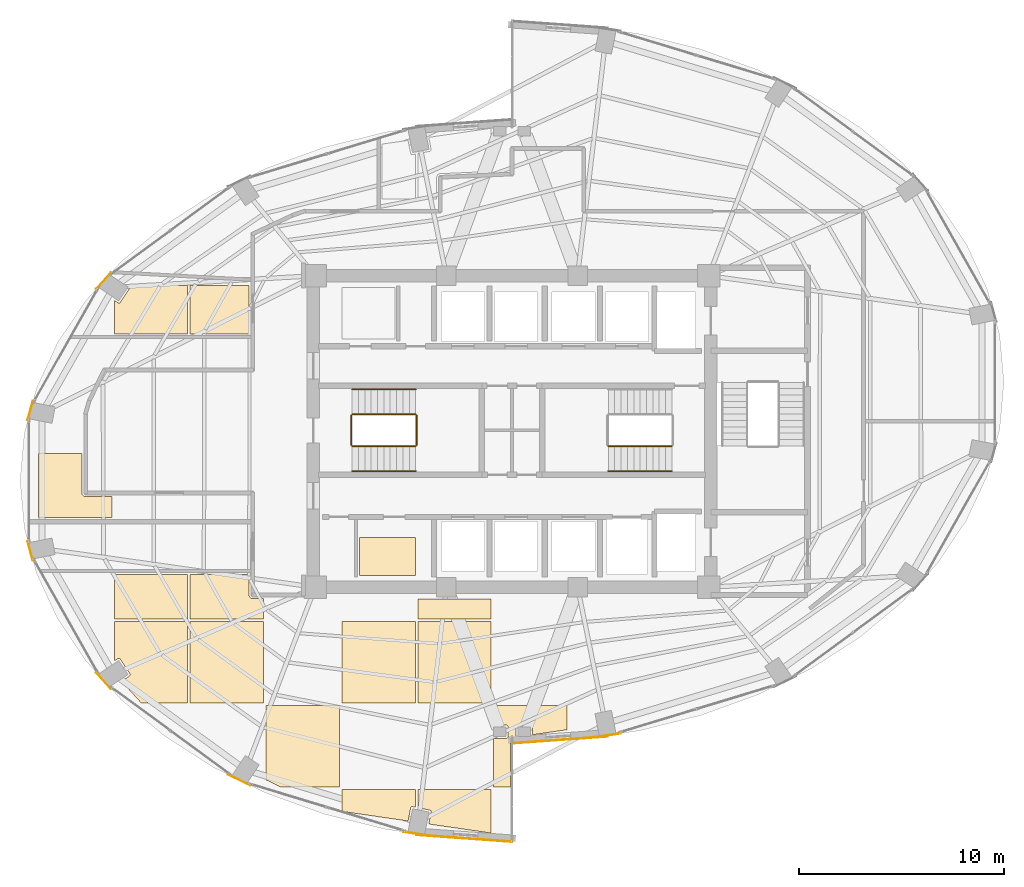
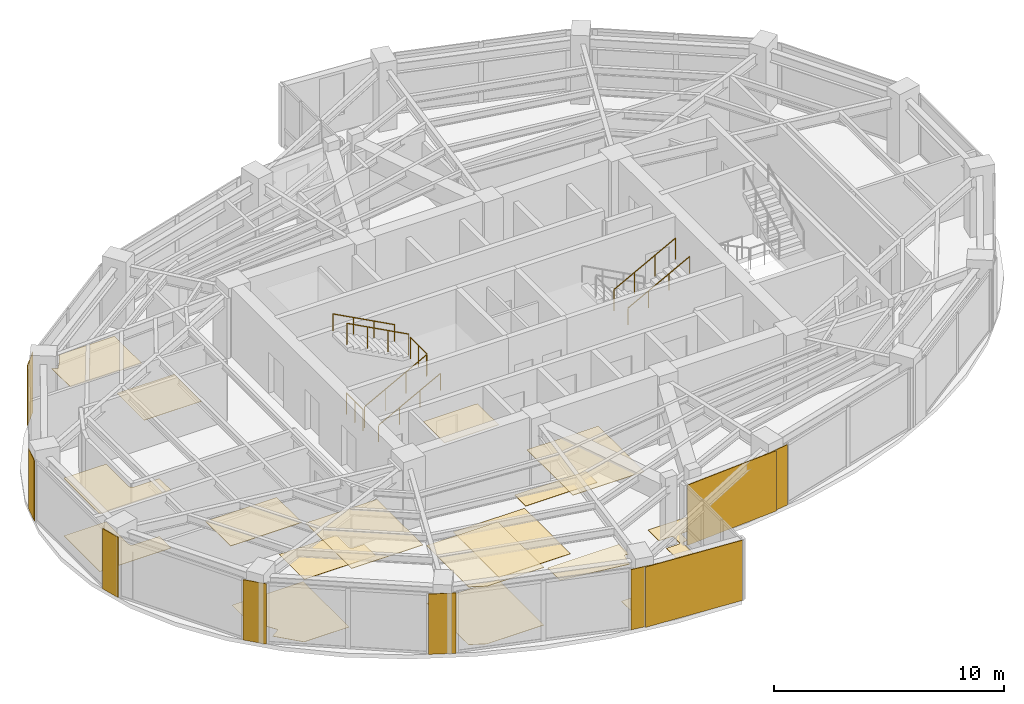
# One storey, part 19 of 20: 26 coverings, 8 railings.
"""IFC4 building model written with IfcOpenShell, lengths in metres."""

from ifc_helpers import new_model, si_unit, direction, frame, origin, origin_2d, place, context, subcontext, project, spatial, polyline, rectangle, circle, outline, extrude, material, layer, layer_set, type_object, element, save


model = new_model("IFC4")

# Units and contexts
model_context = context("Model", 3, precision=1e-05, world=origin(), true_north=direction((0.0, 1.0)))
body_context = subcontext(model_context, "Body", "Model", "MODEL_VIEW")
ifc_project = project(units=[si_unit("LENGTHUNIT", "METRE"), si_unit("AREAUNIT", "SQUARE_METRE"), si_unit("VOLUMEUNIT", "CUBIC_METRE"), si_unit("PLANEANGLEUNIT", "RADIAN"), si_unit("MASSUNIT", "GRAM", prefix="KILO")], contexts=[model_context])

# Site, building, storey
site_placement = place(None, origin())
site = spatial("IfcSite", under=ifc_project, at=site_placement, CompositionType="ELEMENT")
building_placement = place(site_placement, origin())
building = spatial("IfcBuilding", under=site, at=building_placement, Name="Lazwardi Medical Tower", CompositionType="ELEMENT")
storey_placement = place(building_placement, frame((0.0, 0.0, 185.7119140625)))
storey = spatial("IfcBuildingStorey", under=building, at=storey_placement, Name="L48", CompositionType="ELEMENT", Elevation=185.7119140625)

# Coverings
ifc_material_1 = material(Name="Anodised bronze aluminium cassette cladding", Category="aluminium")
ifc_layer_1 = layer(ifc_material_1, 0.030029296875)
ifc_layer_set_1 = layer_set([ifc_layer_1], Name="Anodised bronze aluminium cassette cladding")
covering_type_1 = type_object("IfcCoveringType", Name="COV-CLD-BRZ", PredefinedType="CLADDING", material=ifc_layer_set_1)
covering_1_placement = place(storey_placement, frame((40.67431640625, 13.17578125, 0.0), z_axis=(0.0, 0.0, 1.0), x_axis=(0.989539138138, 0.144264666823, 0.0)))
element("IfcCovering", 1, at=covering_1_placement, inside=storey, type_object=covering_type_1, Name="L48 Mega-column bronze cassette cover M01", PredefinedType="CLADDING", context=body_context, shape_type="SweptSolid", body=[
    extrude(rectangle(XDim=1.28515625, YDim=0.030029296875, at=origin_2d()), origin(), (0.0, 0.0, 1.0), 3.197998046875),
])
covering_2_placement = place(storey_placement, frame((16.07861328125, 35.356689453125, 0.0), z_axis=(0.0, 0.0, 1.0), x_axis=(-0.673714459537, -0.738991763832, 0.0)))
element("IfcCovering", 2, at=covering_2_placement, inside=storey, type_object=covering_type_1, Name="L48 Mega-column bronze cassette cover M11", PredefinedType="CLADDING", context=body_context, shape_type="SweptSolid", body=[
    extrude(rectangle(XDim=1.0693359375, YDim=0.030029296875, at=origin_2d()), origin(), (0.0, 0.0, 1.0), 3.197998046875),
])
for number, where, z_axis, x_axis, name in (
    (3, (12.501220703125, 29.026123046875, 0.0), (0.0, 0.0, 1.0), (-0.261828726257, -0.965114354938, 0.0), "L48 Mega-column bronze cassette cover M12"),
    (4, (12.501220703125, 22.173828125, 0.0), (0.0, 0.0, 1.0), (0.261828726257, -0.965114354938, 0.0), "L48 Mega-column bronze cassette cover M13"),
):
    element("IfcCovering", number, at=place(storey_placement, frame(where, z_axis=z_axis, x_axis=x_axis)), inside=storey, type_object=covering_type_1, Name=name, PredefinedType="CLADDING", context=body_context, shape_type="SweptSolid", body=[
        extrude(rectangle(XDim=0.9658203125, YDim=0.030029296875, at=origin_2d()), origin(), (0.0, 0.0, 1.0), 3.197998046875),
    ])
covering_3_placement = place(storey_placement, frame((16.07861328125, 15.84326171875, 0.0), z_axis=(0.0, 0.0, 1.0), x_axis=(0.673714459537, -0.738991763832, 0.0)))
element("IfcCovering", 5, at=covering_3_placement, inside=storey, type_object=covering_type_1, Name="L48 Mega-column bronze cassette cover M14", PredefinedType="CLADDING", context=body_context, shape_type="SweptSolid", body=[
    extrude(rectangle(XDim=1.0693359375, YDim=0.030029296875, at=origin_2d()), origin(), (0.0, 0.0, 1.0), 3.197998046875),
])
covering_4_placement = place(storey_placement, frame((22.68896484375, 10.998046875, 0.0), z_axis=(0.0, 0.0, 1.0), x_axis=(0.898079014814, -0.439834154144, 0.0)))
element("IfcCovering", 6, at=covering_4_placement, inside=storey, type_object=covering_type_1, Name="L48 Mega-column bronze cassette cover M15", PredefinedType="CLADDING", context=body_context, shape_type="SweptSolid", body=[
    extrude(rectangle(XDim=1.200439453125, YDim=0.030029296875, at=origin_2d()), origin(), (0.0, 0.0, 1.0), 3.197998046875),
])
covering_5_placement = place(storey_placement, frame((31.32568359375, 8.3759765625, 0.0), z_axis=(0.0, 0.0, 1.0), x_axis=(0.989539138138, -0.144264666823, 0.0)))
element("IfcCovering", 7, at=covering_5_placement, inside=storey, type_object=covering_type_1, Name="L48 Mega-column bronze cassette cover M16", PredefinedType="CLADDING", context=body_context, shape_type="SweptSolid", body=[
    extrude(rectangle(XDim=1.28515625, YDim=0.030029296875, at=origin_2d()), origin(), (0.0, 0.0, 1.0), 3.197998046875),
])
ifc_material_2 = material(Name="Turquoise glazed ceramic tilework cladding", Category="masonry")
ifc_layer_2 = layer(ifc_material_2, 0.034912109375)
ifc_layer_set_2 = layer_set([ifc_layer_2], Name="Turquoise glazed ceramic tilework cladding")
covering_type_2 = type_object("IfcCoveringType", Name="COV-CLD-TRQ", PredefinedType="CLADDING", material=ifc_layer_set_2)
covering_6_placement = place(storey_placement, frame((38.338134765625, 12.952392578125, 0.0), z_axis=(0.0, 0.0, 1.0), x_axis=(0.997414510753, 0.071863020663, 0.0)))
element("IfcCovering", 8, at=covering_6_placement, inside=storey, type_object=covering_type_2, Name="L48 Turquoise glazed ceramic tilework cladding", PredefinedType="CLADDING", context=body_context, shape_type="SweptSolid", body=[
    extrude(rectangle(XDim=4.6630859375, YDim=0.034912109375, at=origin_2d()), origin(), (0.0, 0.0, 1.0), 3.197998046875),
])
covering_7_placement = place(storey_placement, frame((33.66162109375, 8.152587890625, 0.0), z_axis=(0.0, 0.0, 1.0), x_axis=(0.997414134466, -0.071868243112, 0.0)))
element("IfcCovering", 9, at=covering_7_placement, inside=storey, type_object=covering_type_2, Name="L48 Turquoise glazed ceramic tilework cladding", PredefinedType="CLADDING", context=body_context, shape_type="SweptSolid", body=[
    extrude(rectangle(XDim=4.66259765625, YDim=0.034912109375, at=origin_2d()), origin(), (0.0, 0.0, 1.0), 3.197998046875),
])
ifc_material_3 = material(Name="Acoustic mineral fibre tile")
ifc_layer_3 = layer(ifc_material_3, 0.02490234375)
ifc_layer_set_3 = layer_set([ifc_layer_3], Name="Acoustic mineral fibre tile")
covering_type_3 = type_object("IfcCoveringType", Name="COV-CLG-01", PredefinedType="CEILING", material=ifc_layer_set_3)
covering_8_placement = place(storey_placement, frame((0.0, 0.0, 3.052978515625)))
element("IfcCovering", 10, at=covering_8_placement, inside=storey, type_object=covering_type_3, Name="L48 Clinical Acoustic Ceiling 1", PredefinedType="CEILING", context=body_context, shape_type="SweptSolid", body=[
    extrude(outline(polyline([(16.48291015625, 24.824951171875), (15.199951171875, 24.824951171875), (15.19580078125, 24.8251953125), (15.186279296875, 24.82568359375), (15.179443359375, 24.826416015625), (15.17041015625, 24.82763671875), (15.161865234375, 24.8291015625), (15.15283203125, 24.83154296875), (15.145751953125, 24.83349609375), (15.136962890625, 24.836669921875), (15.129150390625, 24.840087890625), (15.120849609375, 24.843994140625), (15.114013671875, 24.84765625), (15.10595703125, 24.852294921875), (15.099365234375, 24.85693359375), (15.091796875, 24.862548828125), (15.086181640625, 24.8671875), (15.079345703125, 24.873291015625), (15.0732421875, 24.87939453125), (15.067138671875, 24.88623046875), (15.0625, 24.891845703125), (15.056884765625, 24.8994140625), (15.052490234375, 24.906005859375), (15.047607421875, 24.9140625), (15.0439453125, 24.9208984375), (15.0400390625, 24.92919921875), (15.03662109375, 24.93701171875), (15.03369140625, 24.94580078125), (15.031494140625, 24.952880859375), (15.029296875, 24.9619140625), (15.027587890625, 24.97021484375), (15.0263671875, 24.9794921875), (15.025634765625, 24.986328125), (15.025146484375, 24.99560546875), (15.02490234375, 25.0), (15.02490234375, 26.9326171875), (12.90283203125, 26.9326171875), (12.90283203125, 23.800048828125), (16.48291015625, 23.800048828125), (16.48291015625, 24.824951171875)])), origin(), (0.0, 0.0, 1.0), 0.025146484375),
])
covering_9_placement = place(storey_placement, frame((0.0, 0.0, 3.052978515625)))
element("IfcCovering", 11, at=covering_9_placement, inside=storey, type_object=covering_type_3, Name="L48 Clinical Acoustic Ceiling 2", PredefinedType="CEILING", context=body_context, shape_type="SweptSolid", body=[
    extrude(outline(polyline([(20.182861328125, 21.034912109375), (16.602783203125, 21.034912109375), (16.602783203125, 18.8525390625), (20.182861328125, 18.8525390625), (20.182861328125, 21.034912109375)])), origin(), (0.0, 0.0, 1.0), 0.025146484375),
])
covering_10_placement = place(storey_placement, frame((0.0, 0.0, 3.052978515625)))
element("IfcCovering", 12, at=covering_10_placement, inside=storey, type_object=covering_type_3, Name="L48 Clinical Acoustic Ceiling 3", PredefinedType="CEILING", context=body_context, shape_type="SweptSolid", body=[
    extrude(outline(polyline([(17.330078125, 35.132568359375), (17.34228515625, 35.124267578125), (17.348876953125, 35.11962890625), (17.3544921875, 35.114501953125), (17.35986328125, 35.1083984375), (17.364501953125, 35.102294921875), (17.36865234375, 35.095458984375), (17.371826171875, 35.08837890625), (17.37451171875, 35.0810546875), (17.37646484375, 35.073486328125), (17.377685546875, 35.065673828125), (17.3779296875, 35.057861328125), (17.377685546875, 35.050048828125), (17.37646484375, 35.042236328125), (17.37451171875, 35.03466796875), (17.371826171875, 35.027099609375), (17.36865234375, 35.02001953125), (17.364501953125, 35.013427734375), (16.88671875, 34.29833984375), (16.882080078125, 34.2919921875), (16.876708984375, 34.2861328125), (16.87109375, 34.281005859375), (16.864501953125, 34.276123046875), (16.85791015625, 34.272216796875), (16.850830078125, 34.268798828125), (16.843505859375, 34.26611328125), (16.835693359375, 34.26416015625), (16.827880859375, 34.26318359375), (16.8203125, 34.2626953125), (16.8125, 34.26318359375), (16.8046875, 34.26416015625), (16.797119140625, 34.26611328125), (16.78955078125, 34.268798828125), (16.782470703125, 34.272216796875), (16.77587890625, 34.276123046875), (16.602783203125, 34.3916015625), (16.602783203125, 32.764892578125), (20.182861328125, 32.764892578125), (20.182861328125, 35.132568359375), (17.330078125, 35.132568359375)])), origin(), (0.0, 0.0, 1.0), 0.025146484375),
])
covering_11_placement = place(storey_placement, frame((0.0, 0.0, 3.052978515625)))
element("IfcCovering", 13, at=covering_11_placement, inside=storey, type_object=covering_type_3, Name="L48 Clinical Acoustic Ceiling 4", PredefinedType="CEILING", context=body_context, shape_type="SweptSolid", body=[
    extrude(outline(polyline([(23.8828125, 14.75244140625), (23.8828125, 18.732421875), (20.302978515625, 18.732421875), (20.302978515625, 14.75244140625), (23.8828125, 14.75244140625)])), origin(), (0.0, 0.0, 1.0), 0.025146484375),
])
covering_12_placement = place(storey_placement, frame((0.0, 0.0, 3.052978515625)))
element("IfcCovering", 14, at=covering_12_placement, inside=storey, type_object=covering_type_3, Name="L48 Clinical Acoustic Ceiling 5", PredefinedType="CEILING", context=body_context, shape_type="SweptSolid", body=[
    extrude(outline(polyline([(24.0029296875, 11.003173828125), (24.720458984375, 10.652587890625), (27.5830078125, 10.652587890625), (27.5830078125, 14.632568359375), (24.0029296875, 14.632568359375), (24.0029296875, 11.003173828125)])), origin(), (0.0, 0.0, 1.0), 0.025146484375),
])
covering_13_placement = place(storey_placement, frame((0.0, 0.0, 3.052978515625)))
element("IfcCovering", 15, at=covering_13_placement, inside=storey, type_object=covering_type_3, Name="L48 Clinical Acoustic Ceiling 6", PredefinedType="CEILING", context=body_context, shape_type="SweptSolid", body=[
    extrude(outline(polyline([(27.702880859375, 9.4677734375), (30.92919921875, 8.99853515625), (31.0556640625, 9.63427734375), (31.0576171875, 9.641845703125), (31.060302734375, 9.6494140625), (31.0634765625, 9.656494140625), (31.067626953125, 9.6630859375), (31.072265625, 9.66943359375), (31.077392578125, 9.67529296875), (31.083251953125, 9.680419921875), (31.089599609375, 9.685302734375), (31.096435546875, 9.689208984375), (31.103515625, 9.692626953125), (31.11083984375, 9.6953125), (31.118408203125, 9.697265625), (31.126220703125, 9.6982421875), (31.134033203125, 9.69873046875), (31.141845703125, 9.6982421875), (31.149658203125, 9.697265625), (31.282958984375, 9.670654296875), (31.282958984375, 10.532470703125), (27.702880859375, 10.532470703125), (27.702880859375, 9.4677734375)])), origin(), (0.0, 0.0, 1.0), 0.025146484375),
])
covering_14_placement = place(storey_placement, frame((0.0, 0.0, 3.052978515625)))
element("IfcCovering", 16, at=covering_14_placement, inside=storey, type_object=covering_type_3, Name="L48 Clinical Acoustic Ceiling 7", PredefinedType="CEILING", context=body_context, shape_type="SweptSolid", body=[
    extrude(outline(polyline([(28.56005859375, 22.83251953125), (28.56005859375, 20.97998046875), (31.282958984375, 20.97998046875), (31.282958984375, 22.83251953125), (28.56005859375, 22.83251953125)])), origin(), (0.0, 0.0, 1.0), 0.025146484375),
])
covering_15_placement = place(storey_placement, frame((0.0, 0.0, 3.052978515625)))
element("IfcCovering", 17, at=covering_15_placement, inside=storey, type_object=covering_type_3, Name="L48 Clinical Acoustic Ceiling 9", PredefinedType="CEILING", context=body_context, shape_type="SweptSolid", body=[
    extrude(outline(polyline([(34.98291015625, 14.75244140625), (34.98291015625, 18.732421875), (31.40283203125, 18.732421875), (31.40283203125, 14.75244140625), (34.98291015625, 14.75244140625)])), origin(), (0.0, 0.0, 1.0), 0.025146484375),
])
ifc_material_4 = material(Name="Anti-static hospital vinyl sheet flooring")
ifc_layer_4 = layer(ifc_material_4, 0.014892578125)
ifc_layer_set_4 = layer_set([ifc_layer_4], Name="Anti-static hospital vinyl sheet flooring")
covering_type_4 = type_object("IfcCoveringType", Name="COV-FLR-01", PredefinedType="FLOORING", material=ifc_layer_set_4)
covering_16_placement = place(storey_placement, origin())
element("IfcCovering", 18, at=covering_16_placement, inside=storey, type_object=covering_type_4, Name="L48 Clinical Vinyl Flooring 1", PredefinedType="FLOORING", context=body_context, shape_type="SweptSolid", body=[
    extrude(outline(polyline([(16.48291015625, 24.824951171875), (15.199951171875, 24.824951171875), (15.19580078125, 24.8251953125), (15.186279296875, 24.82568359375), (15.179443359375, 24.826416015625), (15.17041015625, 24.82763671875), (15.161865234375, 24.8291015625), (15.15283203125, 24.83154296875), (15.145751953125, 24.83349609375), (15.136962890625, 24.836669921875), (15.129150390625, 24.840087890625), (15.120849609375, 24.843994140625), (15.114013671875, 24.84765625), (15.10595703125, 24.852294921875), (15.099365234375, 24.85693359375), (15.091796875, 24.862548828125), (15.086181640625, 24.8671875), (15.079345703125, 24.873291015625), (15.0732421875, 24.87939453125), (15.067138671875, 24.88623046875), (15.0625, 24.891845703125), (15.056884765625, 24.8994140625), (15.052490234375, 24.906005859375), (15.047607421875, 24.9140625), (15.0439453125, 24.9208984375), (15.0400390625, 24.92919921875), (15.03662109375, 24.93701171875), (15.03369140625, 24.94580078125), (15.031494140625, 24.952880859375), (15.029296875, 24.9619140625), (15.027587890625, 24.97021484375), (15.0263671875, 24.9794921875), (15.025634765625, 24.986328125), (15.025146484375, 24.99560546875), (15.02490234375, 25.0), (15.02490234375, 26.9326171875), (12.90283203125, 26.9326171875), (12.90283203125, 23.800048828125), (16.48291015625, 23.800048828125), (16.48291015625, 24.824951171875)])), origin(), (0.0, 0.0, 1.0), 0.01513671875),
])
covering_17_placement = place(storey_placement, origin())
element("IfcCovering", 19, at=covering_17_placement, inside=storey, type_object=covering_type_4, Name="L48 Clinical Vinyl Flooring 2", PredefinedType="FLOORING", context=body_context, shape_type="SweptSolid", body=[
    extrude(outline(polyline([(16.602783203125, 16.808349609375), (16.77587890625, 16.923828125), (16.782470703125, 16.927978515625), (16.78955078125, 16.93115234375), (16.797119140625, 16.933837890625), (16.8046875, 16.935791015625), (16.8125, 16.93701171875), (16.8203125, 16.937255859375), (16.827880859375, 16.93701171875), (16.835693359375, 16.935791015625), (16.843505859375, 16.933837890625), (16.850830078125, 16.93115234375), (16.85791015625, 16.927978515625), (16.864501953125, 16.923828125), (16.87109375, 16.919189453125), (16.876708984375, 16.913818359375), (16.882080078125, 16.908203125), (16.88671875, 16.901611328125), (17.364501953125, 16.1865234375), (17.36865234375, 16.179931640625), (17.371826171875, 16.1728515625), (17.37451171875, 16.165283203125), (17.37646484375, 16.15771484375), (17.377685546875, 16.14990234375), (17.3779296875, 16.14208984375), (17.377685546875, 16.134521484375), (17.37646484375, 16.126708984375), (17.37451171875, 16.118896484375), (17.371826171875, 16.111572265625), (17.36865234375, 16.1044921875), (17.364501953125, 16.097900390625), (17.35986328125, 16.091552734375), (17.3544921875, 16.085693359375), (17.348876953125, 16.080322265625), (17.34228515625, 16.07568359375), (16.951416015625, 15.814453125), (17.921630859375, 14.75244140625), (20.182861328125, 14.75244140625), (20.182861328125, 18.732421875), (16.602783203125, 18.732421875), (16.602783203125, 16.808349609375)])), origin(), (0.0, 0.0, 1.0), 0.01513671875),
])
covering_18_placement = place(storey_placement, origin())
element("IfcCovering", 20, at=covering_18_placement, inside=storey, type_object=covering_type_4, Name="L48 Clinical Vinyl Flooring 3", PredefinedType="FLOORING", context=body_context, shape_type="SweptSolid", body=[
    extrude(outline(polyline([(23.8828125, 19.844970703125), (23.35009765625, 19.844970703125), (23.345703125, 19.84521484375), (23.33642578125, 19.845703125), (23.32958984375, 19.84619140625), (23.3203125, 19.84765625), (23.31201171875, 19.84912109375), (23.302734375, 19.8515625), (23.2958984375, 19.853515625), (23.287109375, 19.856689453125), (23.279296875, 19.860107421875), (23.270751953125, 19.864013671875), (23.263916015625, 19.86767578125), (23.256103515625, 19.872314453125), (23.249267578125, 19.876953125), (23.24169921875, 19.882568359375), (23.236083984375, 19.88720703125), (23.229248046875, 19.893310546875), (23.223388671875, 19.8994140625), (23.217041015625, 19.90625), (23.21240234375, 19.911865234375), (23.206787109375, 19.919189453125), (23.202392578125, 19.926025390625), (23.197509765625, 19.93408203125), (23.194091796875, 19.94091796875), (23.18994140625, 19.94921875), (23.186767578125, 19.95703125), (23.18359375, 19.9658203125), (23.181396484375, 19.972900390625), (23.17919921875, 19.98193359375), (23.177490234375, 19.990234375), (23.17626953125, 19.99951171875), (23.175537109375, 20.00634765625), (23.175048828125, 20.015625), (23.175048828125, 20.02001953125), (23.175048828125, 21.034912109375), (20.302978515625, 21.034912109375), (20.302978515625, 18.8525390625), (23.8828125, 18.8525390625), (23.8828125, 19.844970703125)])), origin(), (0.0, 0.0, 1.0), 0.01513671875),
])
covering_19_placement = place(storey_placement, origin())
element("IfcCovering", 21, at=covering_19_placement, inside=storey, type_object=covering_type_4, Name="L48 Clinical Vinyl Flooring 4", PredefinedType="FLOORING", context=body_context, shape_type="SweptSolid", body=[
    extrude(outline(polyline([(20.302978515625, 32.764892578125), (23.175048828125, 32.764892578125), (23.175048828125, 35.132568359375), (20.302978515625, 35.132568359375), (20.302978515625, 32.764892578125)])), origin(), (0.0, 0.0, 1.0), 0.01513671875),
])
covering_20_placement = place(storey_placement, origin())
element("IfcCovering", 22, at=covering_20_placement, inside=storey, type_object=covering_type_4, Name="L48 Clinical Vinyl Flooring 5", PredefinedType="FLOORING", context=body_context, shape_type="SweptSolid", body=[
    extrude(outline(polyline([(24.0029296875, 11.003173828125), (24.720458984375, 10.652587890625), (27.5830078125, 10.652587890625), (27.5830078125, 14.632568359375), (24.0029296875, 14.632568359375), (24.0029296875, 11.003173828125)])), origin(), (0.0, 0.0, 1.0), 0.01513671875),
])
covering_21_placement = place(storey_placement, origin())
element("IfcCovering", 23, at=covering_21_placement, inside=storey, type_object=covering_type_4, Name="L48 Clinical Vinyl Flooring 6", PredefinedType="FLOORING", context=body_context, shape_type="SweptSolid", body=[
    extrude(outline(polyline([(31.282958984375, 14.75244140625), (31.282958984375, 18.732421875), (27.702880859375, 18.732421875), (27.702880859375, 14.75244140625), (31.282958984375, 14.75244140625)])), origin(), (0.0, 0.0, 1.0), 0.01513671875),
])
covering_22_placement = place(storey_placement, origin())
element("IfcCovering", 24, at=covering_22_placement, inside=storey, type_object=covering_type_4, Name="L48 Clinical Vinyl Flooring 8", PredefinedType="FLOORING", context=body_context, shape_type="SweptSolid", body=[
    extrude(outline(polyline([(31.40283203125, 9.646728515625), (31.9931640625, 9.529296875), (32.000732421875, 9.527587890625), (32.00830078125, 9.52490234375), (32.015380859375, 9.521484375), (32.02197265625, 9.517333984375), (32.0283203125, 9.5126953125), (32.0341796875, 9.507568359375), (32.039306640625, 9.501708984375), (32.044189453125, 9.495361328125), (32.048095703125, 9.488525390625), (32.051513671875, 9.4814453125), (32.05419921875, 9.47412109375), (32.05615234375, 9.466552734375), (32.05712890625, 9.458740234375), (32.0576171875, 9.450927734375), (32.05712890625, 9.443115234375), (32.05615234375, 9.435302734375), (31.93994140625, 8.851318359375), (34.98291015625, 8.40869140625), (34.98291015625, 10.532470703125), (31.40283203125, 10.532470703125), (31.40283203125, 9.646728515625)])), origin(), (0.0, 0.0, 1.0), 0.01513671875),
])
covering_23_placement = place(storey_placement, origin())
element("IfcCovering", 25, at=covering_23_placement, inside=storey, type_object=covering_type_4, Name="L48 Clinical Vinyl Flooring 9", PredefinedType="FLOORING", context=body_context, shape_type="SweptSolid", body=[
    extrude(outline(polyline([(34.98291015625, 19.820068359375), (31.40283203125, 19.820068359375), (31.40283203125, 18.8525390625), (34.98291015625, 18.8525390625), (34.98291015625, 19.820068359375)])), origin(), (0.0, 0.0, 1.0), 0.01513671875),
])
covering_24_placement = place(storey_placement, origin())
element("IfcCovering", 26, at=covering_24_placement, inside=storey, type_object=covering_type_4, Name="L48 Clinical Vinyl Flooring 10", PredefinedType="FLOORING", context=body_context, shape_type="SweptSolid", body=[
    extrude(outline(polyline([(35.102783203125, 13.675048828125), (35.719970703125, 13.675048828125), (35.727783203125, 13.674560546875), (35.735595703125, 13.673583984375), (35.7431640625, 13.671630859375), (35.75048828125, 13.6689453125), (35.7578125, 13.66552734375), (35.764404296875, 13.66162109375), (35.770751953125, 13.65673828125), (35.776611328125, 13.651611328125), (35.78173828125, 13.645751953125), (35.78662109375, 13.639404296875), (35.79052734375, 13.6328125), (35.7939453125, 13.62548828125), (35.796630859375, 13.6181640625), (35.798583984375, 13.610595703125), (35.799560546875, 13.602783203125), (35.800048828125, 13.594970703125), (35.800048828125, 13.10498046875), (35.799560546875, 13.09716796875), (35.798583984375, 13.08935546875), (35.796630859375, 13.081787109375), (35.7939453125, 13.074462890625), (35.79052734375, 13.0673828125), (35.78662109375, 13.060546875), (35.78173828125, 13.05419921875), (35.776611328125, 13.04833984375), (35.770751953125, 13.043212890625), (35.764404296875, 13.03857421875), (35.7578125, 13.034423828125), (35.75048828125, 13.031005859375), (35.7431640625, 13.0283203125), (35.735595703125, 13.026611328125), (35.727783203125, 13.025390625), (35.719970703125, 13.02490234375), (35.102783203125, 13.02490234375), (35.102783203125, 10.652587890625), (35.919921875, 10.652587890625), (35.919921875, 12.97998046875), (35.92041015625, 12.987548828125), (35.92138671875, 12.9951171875), (35.923095703125, 13.00244140625), (35.92578125, 13.009765625), (35.928955078125, 13.0166015625), (35.9326171875, 13.023193359375), (35.93701171875, 13.029296875), (35.942138671875, 13.03515625), (35.947509765625, 13.040283203125), (35.95361328125, 13.045166015625), (35.9599609375, 13.04931640625), (35.966796875, 13.052734375), (35.9736328125, 13.0556640625), (35.98095703125, 13.0576171875), (35.988525390625, 13.05908203125), (36.201416015625, 13.090087890625), (36.200439453125, 13.09716796875), (36.199951171875, 13.10498046875), (36.199951171875, 13.594970703125), (36.200439453125, 13.602783203125), (36.201416015625, 13.610595703125), (36.203369140625, 13.6181640625), (36.2060546875, 13.62548828125), (36.20947265625, 13.6328125), (36.21337890625, 13.639404296875), (36.21826171875, 13.645751953125), (36.223388671875, 13.651611328125), (36.229248046875, 13.65673828125), (36.235595703125, 13.66162109375), (36.2421875, 13.66552734375), (36.24951171875, 13.6689453125), (36.2568359375, 13.671630859375), (36.264404296875, 13.673583984375), (36.272216796875, 13.674560546875), (36.280029296875, 13.675048828125), (36.919921875, 13.675048828125), (36.927734375, 13.674560546875), (36.935546875, 13.673583984375), (36.943115234375, 13.671630859375), (36.95068359375, 13.6689453125), (36.957763671875, 13.66552734375), (36.96435546875, 13.66162109375), (36.970703125, 13.65673828125), (36.9765625, 13.651611328125), (36.981689453125, 13.645751953125), (36.986572265625, 13.639404296875), (36.990478515625, 13.6328125), (36.993896484375, 13.62548828125), (36.99658203125, 13.6181640625), (36.99853515625, 13.610595703125), (36.99951171875, 13.602783203125), (37.0, 13.594970703125), (37.0, 13.206298828125), (38.682861328125, 13.451171875), (38.682861328125, 14.632568359375), (35.102783203125, 14.632568359375), (35.102783203125, 13.675048828125)])), origin(), (0.0, 0.0, 1.0), 0.01513671875),
])

# Railings
ifc_material_5 = material(Name="Stainless steel Grade 316", Category="steel")
railing_type_1 = type_object("IfcRailingType", Name="RLG-GRD-1150", PredefinedType="GUARDRAIL", material=ifc_material_5)
railing_1_placement = place(storey_placement, frame((28.199951171875, 27.2900390625, 0.166015625)))
element("IfcRailing", 27, at=railing_1_placement, inside=storey, type_object=railing_type_1, Name="L48 ST1 stair guard 1", PredefinedType="GUARDRAIL", context=body_context, shape_type="SweptSolid", body=[
    extrude(circle(Radius=0.02392578125, at=origin_2d()), frame((0.0, 0.0, 1.1259765625), z_axis=(0.881812178953, 0.0, 0.471600764472), x_axis=(0.0, 1.0, 0.0)), (0.0, 0.0, 1.0), 3.515625),
    extrude(circle(Radius=0.02099609375, at=origin_2d()), origin(), (0.0, 0.0, 1.0), 1.099853515625),
    extrude(circle(Radius=0.02099609375, at=origin_2d()), frame((1.033447265625, 0.0, 0.552734375)), (0.0, 0.0, 1.0), 1.099853515625),
    extrude(circle(Radius=0.02099609375, at=origin_2d()), frame((2.066650390625, 0.0, 1.105224609375)), (0.0, 0.0, 1.0), 1.099853515625),
    extrude(circle(Radius=0.02099609375, at=origin_2d()), frame((3.10009765625, 0.0, 1.657958984375)), (0.0, 0.0, 1.0), 1.099853515625),
])
railing_2_placement = place(storey_placement, frame((31.35009765625, 27.340087890625, 1.823974609375)))
element("IfcRailing", 28, at=railing_2_placement, inside=storey, type_object=railing_type_1, Name="L48 ST1 stair guard 2", PredefinedType="GUARDRAIL", context=body_context, shape_type="SweptSolid", body=[
    extrude(circle(Radius=0.02392578125, at=origin_2d()), frame((0.0, 0.0, 1.1259765625), z_axis=(0.0, 1.0, 0.0), x_axis=(-1.0, 0.0, 0.0)), (0.0, 0.0, 1.0), 1.43994140625),
    extrude(circle(Radius=0.02099609375, at=origin_2d()), origin(), (0.0, 0.0, 1.0), 1.099853515625),
    extrude(circle(Radius=0.02099609375, at=origin_2d()), frame((0.0, 0.719970703125, 0.0)), (0.0, 0.0, 1.0), 1.099853515625),
    extrude(circle(Radius=0.02099609375, at=origin_2d()), frame((0.0, 1.43994140625, 0.0)), (0.0, 0.0, 1.0), 1.099853515625),
])
railing_3_placement = place(storey_placement, frame((31.300048828125, 28.830078125, 1.989990234375)))
element("IfcRailing", 29, at=railing_3_placement, inside=storey, type_object=railing_type_1, Name="L48 ST1 stair guard 3", PredefinedType="GUARDRAIL", context=body_context, shape_type="SweptSolid", body=[
    extrude(circle(Radius=0.02392578125, at=origin_2d()), frame((0.0, 0.0, 1.1259765625), z_axis=(-0.881783298633, 0.0, 0.471654761719), x_axis=(0.0, -1.0, 0.0)), (0.0, 0.0, 1.0), 3.515625),
    extrude(circle(Radius=0.02099609375, at=origin_2d()), origin(), (0.0, 0.0, 1.0), 1.099853515625),
    extrude(circle(Radius=0.02099609375, at=origin_2d()), frame((-1.033447265625, 0.0, 0.552734375)), (0.0, 0.0, 1.0), 1.099853515625),
    extrude(circle(Radius=0.02099609375, at=origin_2d()), frame((-2.066650390625, 0.0, 1.10546875)), (0.0, 0.0, 1.0), 1.099853515625),
    extrude(circle(Radius=0.02099609375, at=origin_2d()), frame((-3.10009765625, 0.0, 1.658203125)), (0.0, 0.0, 1.0), 1.099853515625),
])
railing_4_placement = place(storey_placement, frame((28.14990234375, 27.340087890625, 0.0)))
element("IfcRailing", 30, at=railing_4_placement, inside=storey, type_object=railing_type_1, Name="L48 ST1 stair guard 4", PredefinedType="GUARDRAIL", context=body_context, shape_type="SweptSolid", body=[
    extrude(circle(Radius=0.02392578125, at=origin_2d()), frame((0.0, 0.0, 1.1259765625), z_axis=(0.0, 1.0, 0.0), x_axis=(-1.0, 0.0, 0.0)), (0.0, 0.0, 1.0), 1.43994140625),
    extrude(circle(Radius=0.02099609375, at=origin_2d()), origin(), (0.0, 0.0, 1.0), 1.099853515625),
    extrude(circle(Radius=0.02099609375, at=origin_2d()), frame((0.0, 0.719970703125, 0.0)), (0.0, 0.0, 1.0), 1.099853515625),
    extrude(circle(Radius=0.02099609375, at=origin_2d()), frame((0.0, 1.43994140625, 0.0)), (0.0, 0.0, 1.0), 1.099853515625),
])
railing_5_placement = place(storey_placement, frame((40.699951171875, 27.2900390625, 1.989990234375)))
element("IfcRailing", 31, at=railing_5_placement, inside=storey, type_object=railing_type_1, Name="L48 ST2 stair guard 3", PredefinedType="GUARDRAIL", context=body_context, shape_type="SweptSolid", body=[
    extrude(circle(Radius=0.02392578125, at=origin_2d()), frame((0.0, 0.0, 1.1259765625), z_axis=(0.881783298633, 0.0, 0.471654761719), x_axis=(0.0, 1.0, 0.0)), (0.0, 0.0, 1.0), 3.515625),
    extrude(circle(Radius=0.02099609375, at=origin_2d()), origin(), (0.0, 0.0, 1.0), 1.099853515625),
    extrude(circle(Radius=0.02099609375, at=origin_2d()), frame((1.033447265625, 0.0, 0.552734375)), (0.0, 0.0, 1.0), 1.099853515625),
    extrude(circle(Radius=0.02099609375, at=origin_2d()), frame((2.066650390625, 0.0, 1.10546875)), (0.0, 0.0, 1.0), 1.099853515625),
    extrude(circle(Radius=0.02099609375, at=origin_2d()), frame((3.10009765625, 0.0, 1.658203125)), (0.0, 0.0, 1.0), 1.099853515625),
])
railing_type_2 = type_object("IfcRailingType", Name="RLG-HND-920", PredefinedType="HANDRAIL", material=ifc_material_5)
railing_6_placement = place(storey_placement, frame((28.199951171875, 26.070068359375, 0.166015625)))
element("IfcRailing", 32, at=railing_6_placement, inside=storey, type_object=railing_type_2, Name="L48 ST1 stair handrail 1", PredefinedType="HANDRAIL", context=body_context, shape_type="SweptSolid", body=[
    extrude(circle(Radius=0.02392578125, at=origin_2d()), frame((0.0, 0.0, 0.8857421875), z_axis=(0.881812178953, 0.0, 0.471600764472), x_axis=(0.0, 1.0, 0.0)), (0.0, 0.0, 1.0), 3.515625),
    extrude(circle(Radius=0.02099609375, at=origin_2d()), origin(), (0.0, 0.0, 1.0), 0.85986328125),
    extrude(circle(Radius=0.02099609375, at=origin_2d()), frame((1.033447265625, 0.0, 0.552734375)), (0.0, 0.0, 1.0), 0.85986328125),
    extrude(circle(Radius=0.02099609375, at=origin_2d()), frame((2.066650390625, 0.0, 1.105224609375)), (0.0, 0.0, 1.0), 0.85986328125),
    extrude(circle(Radius=0.02099609375, at=origin_2d()), frame((3.10009765625, 0.0, 1.657958984375)), (0.0, 0.0, 1.0), 0.85986328125),
])
railing_7_placement = place(storey_placement, frame((31.300048828125, 30.050048828125, 1.989990234375)))
element("IfcRailing", 33, at=railing_7_placement, inside=storey, type_object=railing_type_2, Name="L48 ST1 stair handrail 2", PredefinedType="HANDRAIL", context=body_context, shape_type="SweptSolid", body=[
    extrude(circle(Radius=0.02392578125, at=origin_2d()), frame((0.0, 0.0, 0.8857421875), z_axis=(-0.881783298633, 0.0, 0.471654761719), x_axis=(0.0, -1.0, 0.0)), (0.0, 0.0, 1.0), 3.515625),
    extrude(circle(Radius=0.02099609375, at=origin_2d()), origin(), (0.0, 0.0, 1.0), 0.85986328125),
    extrude(circle(Radius=0.02099609375, at=origin_2d()), frame((-1.033447265625, 0.0, 0.552734375)), (0.0, 0.0, 1.0), 0.85986328125),
    extrude(circle(Radius=0.02099609375, at=origin_2d()), frame((-2.066650390625, 0.0, 1.10546875)), (0.0, 0.0, 1.0), 0.85986328125),
    extrude(circle(Radius=0.02099609375, at=origin_2d()), frame((-3.10009765625, 0.0, 1.658203125)), (0.0, 0.0, 1.0), 0.85986328125),
])
railing_8_placement = place(storey_placement, frame((40.699951171875, 26.070068359375, 1.989990234375)))
element("IfcRailing", 34, at=railing_8_placement, inside=storey, type_object=railing_type_2, Name="L48 ST2 stair handrail 2", PredefinedType="HANDRAIL", context=body_context, shape_type="SweptSolid", body=[
    extrude(circle(Radius=0.02392578125, at=origin_2d()), frame((0.0, 0.0, 0.8857421875), z_axis=(0.881783298633, 0.0, 0.471654761719), x_axis=(0.0, 1.0, 0.0)), (0.0, 0.0, 1.0), 3.515625),
    extrude(circle(Radius=0.02099609375, at=origin_2d()), origin(), (0.0, 0.0, 1.0), 0.85986328125),
    extrude(circle(Radius=0.02099609375, at=origin_2d()), frame((1.033447265625, 0.0, 0.552734375)), (0.0, 0.0, 1.0), 0.85986328125),
    extrude(circle(Radius=0.02099609375, at=origin_2d()), frame((2.066650390625, 0.0, 1.10546875)), (0.0, 0.0, 1.0), 0.85986328125),
    extrude(circle(Radius=0.02099609375, at=origin_2d()), frame((3.10009765625, 0.0, 1.658203125)), (0.0, 0.0, 1.0), 0.85986328125),
])

save(model, "model.ifc")
